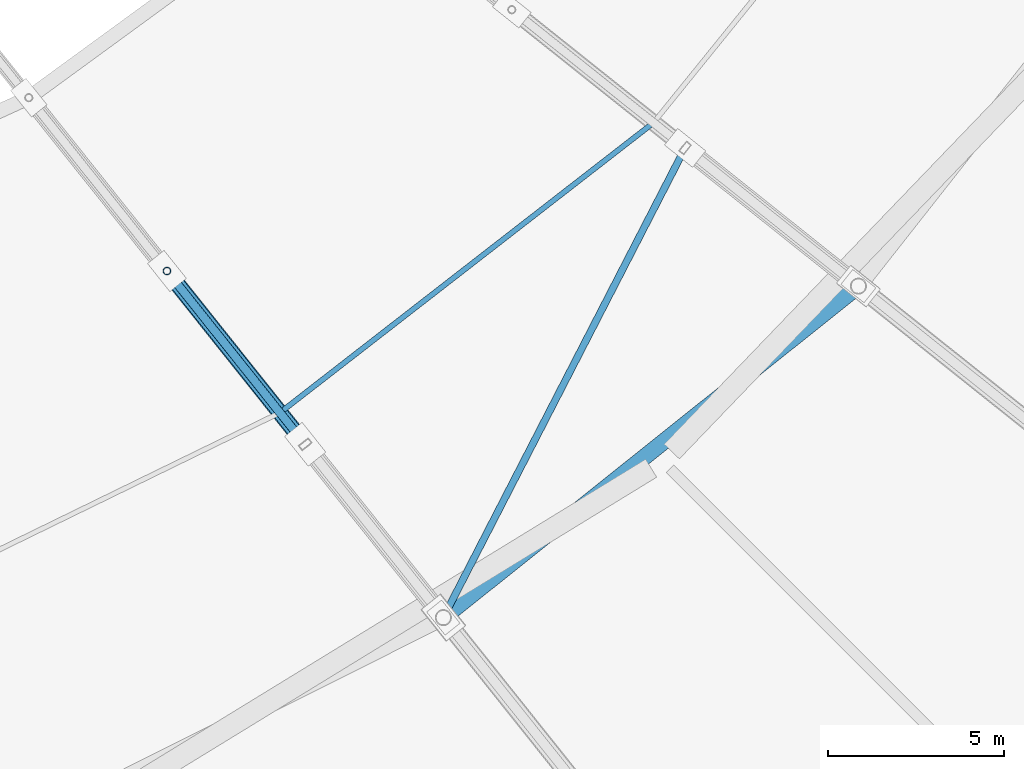
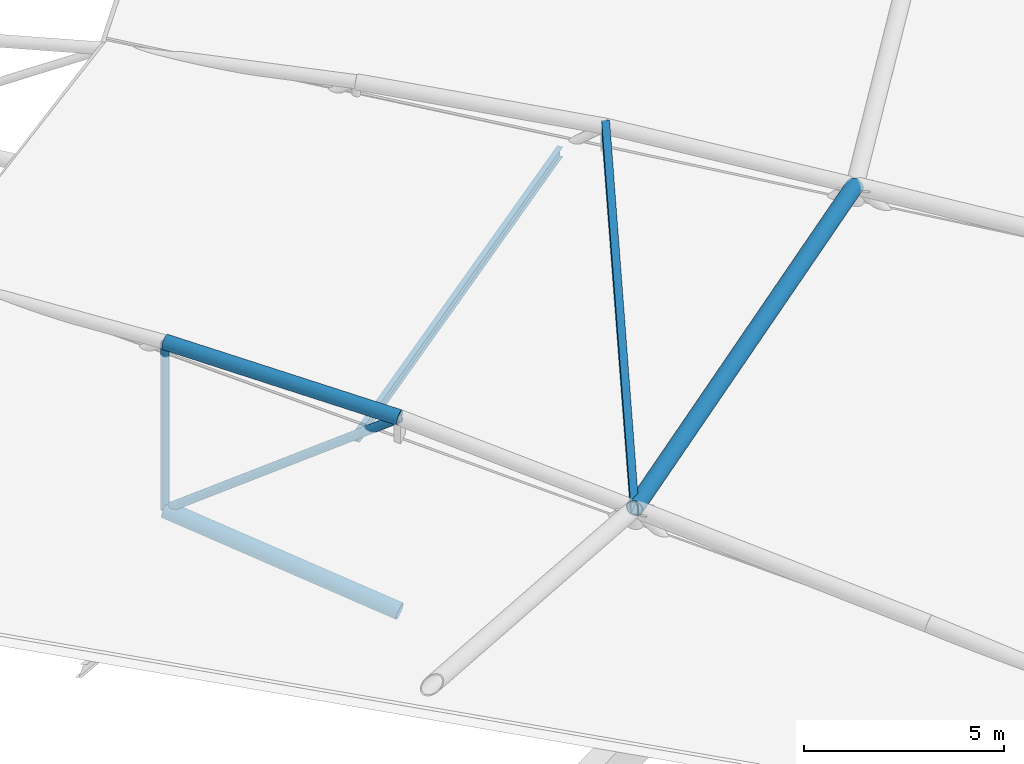
# One storey, part 62 of 108: 7 members.
"""IFC4 building model written with IfcOpenShell, lengths in metres."""

from ifc_helpers import new_model, si_unit, direction, frame, origin, origin_2d, place, context, subcontext, project, spatial, hollow_rectangle, hollow_circle, i_section, extrude, material, material_profile, profile_set, type_object, element, save


model = new_model("IFC4")

# Units and contexts
model_context = context("Model", 3, precision=1e-05, world=origin(), true_north=direction((0.0, 1.0)))
body_context = subcontext(model_context, "Body", "Model", "MODEL_VIEW")
ifc_project = project(units=[si_unit("LENGTHUNIT", "METRE"), si_unit("AREAUNIT", "SQUARE_METRE"), si_unit("VOLUMEUNIT", "CUBIC_METRE"), si_unit("PLANEANGLEUNIT", "RADIAN"), si_unit("MASSUNIT", "GRAM", prefix="KILO")], contexts=[model_context])

# Site, building, storey
site_placement = place(None, origin())
site = spatial("IfcSite", under=ifc_project, at=site_placement, CompositionType="ELEMENT")
building_placement = place(site_placement, origin())
building = spatial("IfcBuilding", under=site, at=building_placement, Name="Zevraka Park Crest Stadium", CompositionType="ELEMENT")
storey_placement = place(building_placement, frame((0.0, 0.0, 29.39990234375)))
storey = spatial("IfcBuildingStorey", under=building, at=storey_placement, Name="RF", CompositionType="ELEMENT", Elevation=29.39990234375)

# Members
ifc_material_1 = material(Name="Steel S355", Category="steel")
ifc_material_profile_1 = material_profile(ifc_material_1, i_section(OverallWidth=0.14990234375, OverallDepth=0.300048828125, WebThickness=0.007080078125, FlangeThickness=0.0107421875, at=origin_2d()), Name="IPE 300")
ifc_profile_set_1 = profile_set([ifc_material_profile_1], Name="Steel S355")
member_type_1 = type_object("IfcMemberType", Name="PR02", PredefinedType="PURLIN", material=ifc_profile_set_1)
member_1_placement = place(storey_placement, frame((153.805908203125, 51.304931640625, 7.47314453125), z_axis=(0.789959240492, 0.613159358048, 0.0), x_axis=(-0.613159358048, 0.789959240492, 0.0)))
element("IfcMember", 1, at=member_1_placement, inside=storey, type_object=member_type_1, Name="Canopy Roof Purlin PR02 OUTER-25-2", PredefinedType="PURLIN", context=body_context, shape_type="SweptSolid", body=[
    extrude(i_section(OverallWidth=0.14990234375, OverallDepth=0.300048828125, WebThickness=0.007080078125, FlangeThickness=0.0107421875, at=origin_2d()), origin(), (0.0, 0.0, 1.0), 13.440185546875),
])
ifc_material_2 = material(Name="Steel S355", Category="steel")
ifc_material_profile_2 = material_profile(ifc_material_2, hollow_circle(Radius=0.228515625, WallThickness=0.02490234375, at=origin_2d()), Name="CHS 457.0x25")
ifc_profile_set_2 = profile_set([ifc_material_profile_2], Name="Steel S355")
member_type_2 = type_object("IfcMemberType", Name="TC02", PredefinedType="CHORD", material=ifc_profile_set_2)
member_2_placement = place(storey_placement, frame((154.52197265625, 50.406982421875, 2.4501953125), z_axis=(-0.606568918372, 0.760539175233, 0.231634000527), x_axis=(-0.781801834506, -0.623526977414, 0.0)))
element("IfcMember", 2, at=member_2_placement, inside=storey, type_object=member_type_2, Name="Roof Truss Bottom Chord TC02 T25-4", PredefinedType="CHORD", context=body_context, shape_type="SweptSolid", body=[
    extrude(hollow_circle(Radius=0.228515625, WallThickness=0.02490234375, at=origin_2d()), origin(), (0.0, 0.0, 1.0), 6.475830078125),
])
member_3_placement = place(storey_placement, frame((158.449951171875, 45.48095703125, 7.2001953125), z_axis=(0.781378161986, 0.624057824221, 0.0), x_axis=(-0.624057824221, 0.781378161986, 0.0)))
element("IfcMember", 3, at=member_3_placement, inside=storey, type_object=member_type_2, Name="Roof Main Bowl-Rim Ring Chord TC02 25", PredefinedType="CHORD", context=body_context, shape_type="SweptSolid", body=[
    extrude(hollow_circle(Radius=0.228515625, WallThickness=0.02490234375, at=origin_2d()), origin(), (0.0, 0.0, 1.0), 15.0966796875),
])
ifc_material_3 = material(Name="Steel S355", Category="steel")
ifc_material_profile_3 = material_profile(ifc_material_3, hollow_circle(Radius=0.203125, WallThickness=0.02001953125, at=origin_2d()), Name="CHS 406.4x20")
ifc_profile_set_3 = profile_set([ifc_material_profile_3], Name="Steel S355")
member_type_3 = type_object("IfcMemberType", Name="TC03", PredefinedType="CHORD", material=ifc_profile_set_3)
member_4_placement = place(storey_placement, frame((154.52197265625, 50.406982421875, 8.35009765625), z_axis=(-0.619713383644, 0.777020205622, 0.110430621599), x_axis=(-0.781801834506, -0.623526977414, 0.0)))
element("IfcMember", 4, at=member_4_placement, inside=storey, type_object=member_type_3, Name="Roof Truss Top Chord TC03 T25-4", PredefinedType="CHORD", context=body_context, shape_type="SweptSolid", body=[
    extrude(hollow_circle(Radius=0.203125, WallThickness=0.02001953125, at=origin_2d()), origin(), (0.0, 0.0, 1.0), 6.33837890625),
])
ifc_material_4 = material(Name="Steel S355", Category="steel")
ifc_material_profile_4 = material_profile(ifc_material_4, hollow_circle(Radius=0.109619140625, WallThickness=0.010009765625, at=origin_2d()), Name="CHS 219.1x10")
ifc_profile_set_4 = profile_set([ifc_material_profile_4], Name="Steel S355")
member_type_4 = type_object("IfcMemberType", Name="WB02", PredefinedType="BRACE", material=ifc_profile_set_4)
member_5_placement = place(storey_placement, frame((150.593994140625, 55.33203125, 3.9501953125), z_axis=(0.0, 0.0, 1.0), x_axis=(-0.623470308046, 0.781847027868, 0.0)))
element("IfcMember", 5, at=member_5_placement, inside=storey, type_object=member_type_4, Name="Roof Truss Web Post WB02 T25-4", PredefinedType="BRACE", context=body_context, shape_type="SweptSolid", body=[
    extrude(hollow_circle(Radius=0.109619140625, WallThickness=0.010009765625, at=origin_2d()), origin(), (0.0, 0.0, 1.0), 5.099853515625),
])
ifc_material_5 = material(Name="Steel S355", Category="steel")
ifc_material_profile_5 = material_profile(ifc_material_5, hollow_rectangle(XDim=0.199951171875, YDim=0.39990234375, WallThickness=0.01611328125, at=origin_2d()), Name="RHS 400x200x16")
ifc_profile_set_5 = profile_set([ifc_material_profile_5], Name="Steel S355")
member_type_5 = type_object("IfcMemberType", Name="WB06", PredefinedType="BRACE", material=ifc_profile_set_5)
member_6_placement = place(storey_placement, frame((158.449951171875, 45.48095703125, 7.2001953125), z_axis=(0.456318712357, 0.886533348289, 0.076366583826), x_axis=(-0.889129777348, 0.457655152962, 0.0)))
element("IfcMember", 6, at=member_6_placement, inside=storey, type_object=member_type_5, Name="Canopy Roof Wind Brace WB06 25", PredefinedType="BRACE", context=body_context, shape_type="SweptSolid", body=[
    extrude(hollow_rectangle(XDim=0.199951171875, YDim=0.39990234375, WallThickness=0.01611328125, at=origin_2d()), origin(), (0.0, 0.0, 1.0), 15.0576171875),
])
ifc_material_6 = material(Name="Steel S355", Category="steel")
ifc_material_profile_6 = material_profile(ifc_material_6, hollow_circle(Radius=0.122314453125, WallThickness=0.012451171875, at=origin_2d()), Name="CHS 244.5x12.5")
ifc_profile_set_6 = profile_set([ifc_material_profile_6], Name="Steel S355")
member_type_6 = type_object("IfcMemberType", Name="WB07", PredefinedType="BRACE", material=ifc_profile_set_6)
member_7_placement = place(storey_placement, frame((150.593994140625, 55.33203125, 3.9501953125), z_axis=(0.511187534753, -0.64094636948, 0.572603751091), x_axis=(0.781801834506, 0.623526977414, 0.0)))
element("IfcMember", 7, at=member_7_placement, inside=storey, type_object=member_type_6, Name="Roof Truss Web Diagonal WB07 T25-4", PredefinedType="BRACE", context=body_context, shape_type="SweptSolid", body=[
    extrude(hollow_circle(Radius=0.122314453125, WallThickness=0.012451171875, at=origin_2d()), origin(), (0.0, 0.0, 1.0), 7.68408203125),
])

save(model, "model.ifc")
